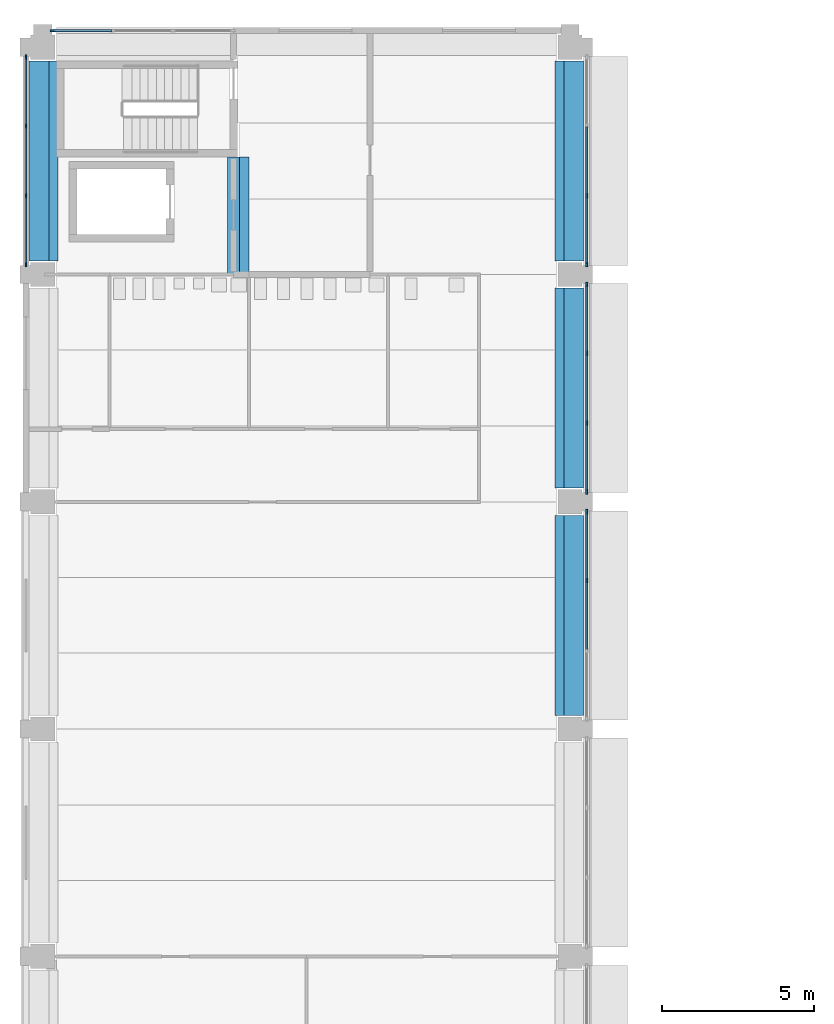
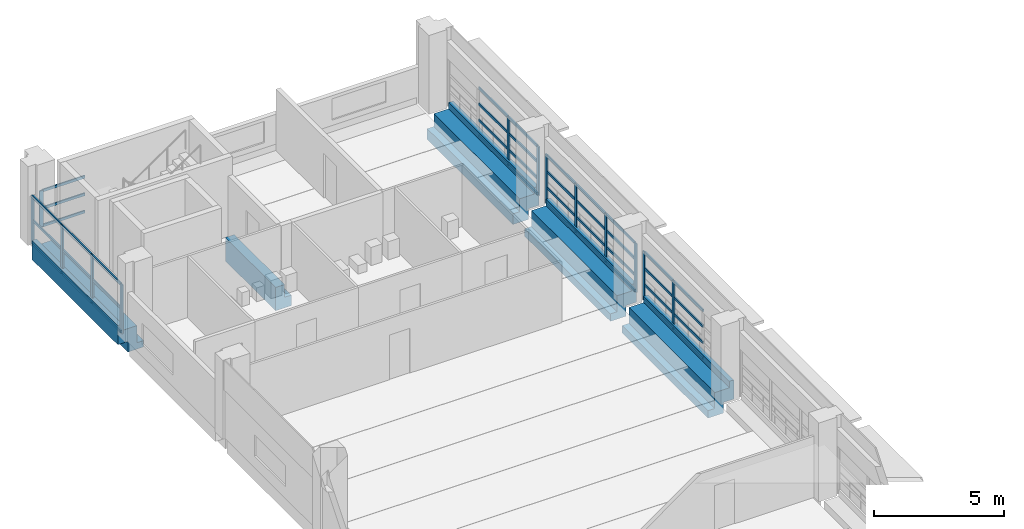
# One storey, part 12 of 61: 53 members, 5 beams, 5 elements without a shape of their own.
"""IFC4 building model written with IfcOpenShell, lengths in metres."""

from ifc_helpers import new_model, si_unit, direction, frame, origin, origin_2d, place, context, subcontext, project, spatial, polyline, rectangle, outline, extrude, material, layer, layer_set, material_profile, profile_set, type_object, element, aggregate, save


model = new_model("IFC4")

# Units and contexts
model_context = context("Model", 3, precision=1e-05, world=origin(), true_north=direction((0.0, 1.0)))
body_context = subcontext(model_context, "Body", "Model", "MODEL_VIEW")
ifc_project = project(units=[si_unit("LENGTHUNIT", "METRE"), si_unit("AREAUNIT", "SQUARE_METRE"), si_unit("VOLUMEUNIT", "CUBIC_METRE"), si_unit("PLANEANGLEUNIT", "RADIAN"), si_unit("MASSUNIT", "GRAM", prefix="KILO")], contexts=[model_context])

# Site, building, storey
site_placement = place(None, origin())
site = spatial("IfcSite", under=ifc_project, at=site_placement, CompositionType="ELEMENT")
building_placement = place(site_placement, origin())
building = spatial("IfcBuilding", under=site, at=building_placement, Name="Cour d'Honneur Mobility Palace", CompositionType="ELEMENT")
storey_placement = place(building_placement, frame((0.0, 0.0, 11.89990234375)))
storey = spatial("IfcBuildingStorey", under=building, at=storey_placement, Name="L03", CompositionType="ELEMENT", Elevation=11.89990234375)

# Curtain wall, members
ifc_material_1 = material(Name="Aluminium and glass", Category="aluminium")
ifc_layer = layer(ifc_material_1, 0.10009765625)
ifc_layer_set = layer_set([ifc_layer], Name="Aluminium and glass")
curtain_wall_type = type_object("IfcCurtainWallType", Name="Curtain wall run", PredefinedType="NOTDEFINED", material=ifc_layer_set)
curtain_wall_1_placement = place(storey_placement, origin())
curtain_wall_1 = element("IfcCurtainWall", 1, at=curtain_wall_1_placement, inside=storey, type_object=curtain_wall_type, Name="Curtain wall CW-34", PredefinedType="NOTDEFINED")
ifc_material_2 = material(Name="Aluminium", Category="aluminium")
ifc_material_profile_1 = material_profile(ifc_material_2, rectangle(XDim=0.06005859375, YDim=0.159912109375, at=origin_2d()), Name="Curtain wall mullion")
ifc_profile_set_1 = profile_set([ifc_material_profile_1], Name="Aluminium")
member_type_1 = type_object("IfcMemberType", Name="Curtain wall mullion", PredefinedType="MULLION", material=ifc_profile_set_1)
member_1_placement = place(storey_placement, frame((17.949951171875, 97.300048828125, 0.0), z_axis=(0.0, 0.0, 1.0), x_axis=(-1.0, 0.0, 0.0)))
member_1 = element("IfcMember", 2, at=member_1_placement, type_object=member_type_1, Name="CW-34 mullion 3", PredefinedType="MULLION", context=body_context, shape_type="SweptSolid", body=[
    extrude(rectangle(XDim=0.06005859375, YDim=0.159912109375, at=origin_2d()), origin(), (0.0, 0.0, 1.0), 2.300048828125),
])
member_2_placement = place(storey_placement, frame((17.949951171875, 99.570068359375, 0.0), z_axis=(0.0, 0.0, 1.0), x_axis=(-1.0, 0.0, 0.0)))
member_2 = element("IfcMember", 3, at=member_2_placement, type_object=member_type_1, Name="CW-34 mullion 4", PredefinedType="MULLION", context=body_context, shape_type="SweptSolid", body=[
    extrude(rectangle(XDim=0.06005859375, YDim=0.159912109375, at=origin_2d()), origin(), (0.0, 0.0, 1.0), 2.300048828125),
])

curtain_wall_2_placement = place(storey_placement, origin())
curtain_wall_2 = element("IfcCurtainWall", 4, at=curtain_wall_2_placement, inside=storey, type_object=curtain_wall_type, Name="Curtain wall CW-35", PredefinedType="NOTDEFINED")
member_3_placement = place(storey_placement, frame((17.949951171875, 100.22998046875, 0.0), z_axis=(0.0, 0.0, 1.0), x_axis=(-1.0, 0.0, 0.0)))
member_3 = element("IfcMember", 5, at=member_3_placement, type_object=member_type_1, Name="CW-35 mullion 1", PredefinedType="MULLION", context=body_context, shape_type="SweptSolid", body=[
    extrude(rectangle(XDim=0.06005859375, YDim=0.159912109375, at=origin_2d()), origin(), (0.0, 0.0, 1.0), 2.300048828125),
])
member_4_placement = place(storey_placement, frame((17.949951171875, 102.5, 0.0), z_axis=(0.0, 0.0, 1.0), x_axis=(-1.0, 0.0, 0.0)))
member_4 = element("IfcMember", 6, at=member_4_placement, type_object=member_type_1, Name="CW-35 mullion 2", PredefinedType="MULLION", context=body_context, shape_type="SweptSolid", body=[
    extrude(rectangle(XDim=0.06005859375, YDim=0.159912109375, at=origin_2d()), origin(), (0.0, 0.0, 1.0), 2.300048828125),
])
member_5_placement = place(storey_placement, frame((17.949951171875, 104.800048828125, 0.0), z_axis=(0.0, 0.0, 1.0), x_axis=(-1.0, 0.0, 0.0)))
member_5 = element("IfcMember", 7, at=member_5_placement, type_object=member_type_1, Name="CW-35 mullion 3", PredefinedType="MULLION", context=body_context, shape_type="SweptSolid", body=[
    extrude(rectangle(XDim=0.06005859375, YDim=0.159912109375, at=origin_2d()), origin(), (0.0, 0.0, 1.0), 2.300048828125),
])
member_6_placement = place(storey_placement, frame((17.949951171875, 107.070068359375, 0.0), z_axis=(0.0, 0.0, 1.0), x_axis=(-1.0, 0.0, 0.0)))
member_6 = element("IfcMember", 8, at=member_6_placement, type_object=member_type_1, Name="CW-35 mullion 4", PredefinedType="MULLION", context=body_context, shape_type="SweptSolid", body=[
    extrude(rectangle(XDim=0.06005859375, YDim=0.159912109375, at=origin_2d()), origin(), (0.0, 0.0, 1.0), 2.300048828125),
])

curtain_wall_3_placement = place(storey_placement, origin())
curtain_wall_3 = element("IfcCurtainWall", 9, at=curtain_wall_3_placement, inside=storey, type_object=curtain_wall_type, Name="Curtain wall CW-36", PredefinedType="NOTDEFINED")
member_7_placement = place(storey_placement, frame((17.949951171875, 107.72998046875, 0.0), z_axis=(0.0, 0.0, 1.0), x_axis=(-1.0, 0.0, 0.0)))
member_7 = element("IfcMember", 10, at=member_7_placement, type_object=member_type_1, Name="CW-36 mullion 1", PredefinedType="MULLION", context=body_context, shape_type="SweptSolid", body=[
    extrude(rectangle(XDim=0.06005859375, YDim=0.159912109375, at=origin_2d()), origin(), (0.0, 0.0, 1.0), 2.300048828125),
])
member_8_placement = place(storey_placement, frame((17.949951171875, 110.0, 0.0), z_axis=(0.0, 0.0, 1.0), x_axis=(-1.0, 0.0, 0.0)))
member_8 = element("IfcMember", 11, at=member_8_placement, type_object=member_type_1, Name="CW-36 mullion 2", PredefinedType="MULLION", context=body_context, shape_type="SweptSolid", body=[
    extrude(rectangle(XDim=0.06005859375, YDim=0.159912109375, at=origin_2d()), origin(), (0.0, 0.0, 1.0), 2.300048828125),
])

# Curtain wall, member
curtain_wall_4_placement = place(storey_placement, origin())
curtain_wall_4 = element("IfcCurtainWall", 12, at=curtain_wall_4_placement, inside=storey, type_object=curtain_wall_type, Name="Curtain wall CW-128", PredefinedType="NOTDEFINED")
member_9_placement = place(storey_placement, frame((0.330078125, 115.449951171875, 0.0), z_axis=(0.0, 0.0, 1.0), x_axis=(0.0, -1.0, 0.0)))
member_9 = element("IfcMember", 13, at=member_9_placement, type_object=member_type_1, Name="CW-128 mullion 4", PredefinedType="MULLION", context=body_context, shape_type="SweptSolid", body=[
    extrude(rectangle(XDim=0.06005859375, YDim=0.159912109375, at=origin_2d()), origin(), (0.0, 0.0, 1.0), 1.7001953125),
])

# Curtain wall, members
curtain_wall_5_placement = place(storey_placement, origin())
curtain_wall_5 = element("IfcCurtainWall", 14, at=curtain_wall_5_placement, inside=storey, type_object=curtain_wall_type, Name="Curtain wall CW-129", PredefinedType="NOTDEFINED")
member_10_placement = place(storey_placement, frame((-0.550048828125, 114.570068359375, 0.0), z_axis=(0.0, 0.0, 1.0), x_axis=(1.0, 0.0, 0.0)))
member_10 = element("IfcMember", 15, at=member_10_placement, type_object=member_type_1, Name="CW-129 mullion 1", PredefinedType="MULLION", context=body_context, shape_type="SweptSolid", body=[
    extrude(rectangle(XDim=0.06005859375, YDim=0.159912109375, at=origin_2d()), origin(), (0.0, 0.0, 1.0), 2.300048828125),
])
member_11_placement = place(storey_placement, frame((-0.550048828125, 112.300048828125, 0.0), z_axis=(0.0, 0.0, 1.0), x_axis=(1.0, 0.0, 0.0)))
member_11 = element("IfcMember", 16, at=member_11_placement, type_object=member_type_1, Name="CW-129 mullion 2", PredefinedType="MULLION", context=body_context, shape_type="SweptSolid", body=[
    extrude(rectangle(XDim=0.06005859375, YDim=0.159912109375, at=origin_2d()), origin(), (0.0, 0.0, 1.0), 2.300048828125),
])
member_12_placement = place(storey_placement, frame((-0.550048828125, 110.0, 0.0), z_axis=(0.0, 0.0, 1.0), x_axis=(1.0, 0.0, 0.0)))
member_12 = element("IfcMember", 17, at=member_12_placement, type_object=member_type_1, Name="CW-129 mullion 3", PredefinedType="MULLION", context=body_context, shape_type="SweptSolid", body=[
    extrude(rectangle(XDim=0.06005859375, YDim=0.159912109375, at=origin_2d()), origin(), (0.0, 0.0, 1.0), 2.300048828125),
])
member_13_placement = place(storey_placement, frame((-0.550048828125, 107.72998046875, 0.0), z_axis=(0.0, 0.0, 1.0), x_axis=(1.0, 0.0, 0.0)))
member_13 = element("IfcMember", 18, at=member_13_placement, type_object=member_type_1, Name="CW-129 mullion 4", PredefinedType="MULLION", context=body_context, shape_type="SweptSolid", body=[
    extrude(rectangle(XDim=0.06005859375, YDim=0.159912109375, at=origin_2d()), origin(), (0.0, 0.0, 1.0), 2.300048828125),
])

# Member
ifc_material_3 = material(Name="Aluminium", Category="aluminium")
ifc_material_profile_2 = material_profile(ifc_material_3, rectangle(XDim=0.06005859375, YDim=0.1201171875, at=origin_2d()), Name="Curtain wall transom")
ifc_profile_set_2 = profile_set([ifc_material_profile_2], Name="Aluminium")
member_type_2 = type_object("IfcMemberType", Name="Curtain wall transom", PredefinedType="USERDEFINED", material=ifc_profile_set_2)
member_14_placement = place(storey_placement, frame((17.949951171875, 95.030029296875, 0.030029296875), z_axis=(0.0, 1.0, 0.0), x_axis=(-1.0, 0.0, 0.0)))
member_14 = element("IfcMember", 19, at=member_14_placement, type_object=member_type_2, Name="CW-34 transom 2.1", ObjectType="TRANSOM", PredefinedType="USERDEFINED", context=body_context, shape_type="SweptSolid", body=[
    extrude(rectangle(XDim=0.06005859375, YDim=0.1201171875, at=origin_2d()), origin(), (0.0, 0.0, 1.0), 2.239990234375),
])

member_15_placement = place(storey_placement, frame((17.949951171875, 95.030029296875, 0.766845703125), z_axis=(0.0, 1.0, 0.0), x_axis=(-1.0, 0.0, 0.0)))
member_15 = element("IfcMember", 20, at=member_15_placement, type_object=member_type_2, Name="CW-34 transom 2.2", ObjectType="TRANSOM", PredefinedType="USERDEFINED", context=body_context, shape_type="SweptSolid", body=[
    extrude(rectangle(XDim=0.06005859375, YDim=0.1201171875, at=origin_2d()), origin(), (0.0, 0.0, 1.0), 2.239990234375),
])

member_16_placement = place(storey_placement, frame((17.949951171875, 95.030029296875, 1.533447265625), z_axis=(0.0, 1.0, 0.0), x_axis=(-1.0, 0.0, 0.0)))
member_16 = element("IfcMember", 21, at=member_16_placement, type_object=member_type_2, Name="CW-34 transom 2.3", ObjectType="TRANSOM", PredefinedType="USERDEFINED", context=body_context, shape_type="SweptSolid", body=[
    extrude(rectangle(XDim=0.06005859375, YDim=0.1201171875, at=origin_2d()), origin(), (0.0, 0.0, 1.0), 2.239990234375),
])

member_17_placement = place(storey_placement, frame((17.949951171875, 95.030029296875, 2.27001953125), z_axis=(0.0, 1.0, 0.0), x_axis=(-1.0, 0.0, 0.0)))
member_17 = element("IfcMember", 22, at=member_17_placement, type_object=member_type_2, Name="CW-34 transom 2.4", ObjectType="TRANSOM", PredefinedType="USERDEFINED", context=body_context, shape_type="SweptSolid", body=[
    extrude(rectangle(XDim=0.06005859375, YDim=0.1201171875, at=origin_2d()), origin(), (0.0, 0.0, 1.0), 2.239990234375),
])

member_18_placement = place(storey_placement, frame((17.949951171875, 97.330078125, 0.030029296875), z_axis=(0.0, 1.0, 0.0), x_axis=(-1.0, 0.0, 0.0)))
member_18 = element("IfcMember", 23, at=member_18_placement, type_object=member_type_2, Name="CW-34 transom 3.1", ObjectType="TRANSOM", PredefinedType="USERDEFINED", context=body_context, shape_type="SweptSolid", body=[
    extrude(rectangle(XDim=0.06005859375, YDim=0.1201171875, at=origin_2d()), origin(), (0.0, 0.0, 1.0), 2.2099609375),
])

member_19_placement = place(storey_placement, frame((17.949951171875, 97.330078125, 0.766845703125), z_axis=(0.0, 1.0, 0.0), x_axis=(-1.0, 0.0, 0.0)))
member_19 = element("IfcMember", 24, at=member_19_placement, type_object=member_type_2, Name="CW-34 transom 3.2", ObjectType="TRANSOM", PredefinedType="USERDEFINED", context=body_context, shape_type="SweptSolid", body=[
    extrude(rectangle(XDim=0.06005859375, YDim=0.1201171875, at=origin_2d()), origin(), (0.0, 0.0, 1.0), 2.2099609375),
])

member_20_placement = place(storey_placement, frame((17.949951171875, 97.330078125, 1.533447265625), z_axis=(0.0, 1.0, 0.0), x_axis=(-1.0, 0.0, 0.0)))
member_20 = element("IfcMember", 25, at=member_20_placement, type_object=member_type_2, Name="CW-34 transom 3.3", ObjectType="TRANSOM", PredefinedType="USERDEFINED", context=body_context, shape_type="SweptSolid", body=[
    extrude(rectangle(XDim=0.06005859375, YDim=0.1201171875, at=origin_2d()), origin(), (0.0, 0.0, 1.0), 2.2099609375),
])

member_21_placement = place(storey_placement, frame((17.949951171875, 97.330078125, 2.27001953125), z_axis=(0.0, 1.0, 0.0), x_axis=(-1.0, 0.0, 0.0)))
member_21 = element("IfcMember", 26, at=member_21_placement, type_object=member_type_2, Name="CW-34 transom 3.4", ObjectType="TRANSOM", PredefinedType="USERDEFINED", context=body_context, shape_type="SweptSolid", body=[
    extrude(rectangle(XDim=0.06005859375, YDim=0.1201171875, at=origin_2d()), origin(), (0.0, 0.0, 1.0), 2.2099609375),
])

aggregate(curtain_wall_1, [member_1, member_2, member_14, member_15, member_16, member_17, member_18, member_19, member_20, member_21])

member_22_placement = place(storey_placement, frame((17.949951171875, 100.260009765625, 0.030029296875), z_axis=(0.0, 1.0, 0.0), x_axis=(-1.0, 0.0, 0.0)))
member_22 = element("IfcMember", 27, at=member_22_placement, type_object=member_type_2, Name="CW-35 transom 1.1", ObjectType="TRANSOM", PredefinedType="USERDEFINED", context=body_context, shape_type="SweptSolid", body=[
    extrude(rectangle(XDim=0.06005859375, YDim=0.1201171875, at=origin_2d()), origin(), (0.0, 0.0, 1.0), 2.2099609375),
])

member_23_placement = place(storey_placement, frame((17.949951171875, 100.260009765625, 0.766845703125), z_axis=(0.0, 1.0, 0.0), x_axis=(-1.0, 0.0, 0.0)))
member_23 = element("IfcMember", 28, at=member_23_placement, type_object=member_type_2, Name="CW-35 transom 1.2", ObjectType="TRANSOM", PredefinedType="USERDEFINED", context=body_context, shape_type="SweptSolid", body=[
    extrude(rectangle(XDim=0.06005859375, YDim=0.1201171875, at=origin_2d()), origin(), (0.0, 0.0, 1.0), 2.2099609375),
])

member_24_placement = place(storey_placement, frame((17.949951171875, 100.260009765625, 1.533447265625), z_axis=(0.0, 1.0, 0.0), x_axis=(-1.0, 0.0, 0.0)))
member_24 = element("IfcMember", 29, at=member_24_placement, type_object=member_type_2, Name="CW-35 transom 1.3", ObjectType="TRANSOM", PredefinedType="USERDEFINED", context=body_context, shape_type="SweptSolid", body=[
    extrude(rectangle(XDim=0.06005859375, YDim=0.1201171875, at=origin_2d()), origin(), (0.0, 0.0, 1.0), 2.2099609375),
])

member_25_placement = place(storey_placement, frame((17.949951171875, 100.260009765625, 2.27001953125), z_axis=(0.0, 1.0, 0.0), x_axis=(-1.0, 0.0, 0.0)))
member_25 = element("IfcMember", 30, at=member_25_placement, type_object=member_type_2, Name="CW-35 transom 1.4", ObjectType="TRANSOM", PredefinedType="USERDEFINED", context=body_context, shape_type="SweptSolid", body=[
    extrude(rectangle(XDim=0.06005859375, YDim=0.1201171875, at=origin_2d()), origin(), (0.0, 0.0, 1.0), 2.2099609375),
])

member_26_placement = place(storey_placement, frame((17.949951171875, 102.530029296875, 0.030029296875), z_axis=(0.0, 1.0, 0.0), x_axis=(-1.0, 0.0, 0.0)))
member_26 = element("IfcMember", 31, at=member_26_placement, type_object=member_type_2, Name="CW-35 transom 2.1", ObjectType="TRANSOM", PredefinedType="USERDEFINED", context=body_context, shape_type="SweptSolid", body=[
    extrude(rectangle(XDim=0.06005859375, YDim=0.1201171875, at=origin_2d()), origin(), (0.0, 0.0, 1.0), 2.239990234375),
])

member_27_placement = place(storey_placement, frame((17.949951171875, 102.530029296875, 0.766845703125), z_axis=(0.0, 1.0, 0.0), x_axis=(-1.0, 0.0, 0.0)))
member_27 = element("IfcMember", 32, at=member_27_placement, type_object=member_type_2, Name="CW-35 transom 2.2", ObjectType="TRANSOM", PredefinedType="USERDEFINED", context=body_context, shape_type="SweptSolid", body=[
    extrude(rectangle(XDim=0.06005859375, YDim=0.1201171875, at=origin_2d()), origin(), (0.0, 0.0, 1.0), 2.239990234375),
])

member_28_placement = place(storey_placement, frame((17.949951171875, 102.530029296875, 1.533447265625), z_axis=(0.0, 1.0, 0.0), x_axis=(-1.0, 0.0, 0.0)))
member_28 = element("IfcMember", 33, at=member_28_placement, type_object=member_type_2, Name="CW-35 transom 2.3", ObjectType="TRANSOM", PredefinedType="USERDEFINED", context=body_context, shape_type="SweptSolid", body=[
    extrude(rectangle(XDim=0.06005859375, YDim=0.1201171875, at=origin_2d()), origin(), (0.0, 0.0, 1.0), 2.239990234375),
])

member_29_placement = place(storey_placement, frame((17.949951171875, 102.530029296875, 2.27001953125), z_axis=(0.0, 1.0, 0.0), x_axis=(-1.0, 0.0, 0.0)))
member_29 = element("IfcMember", 34, at=member_29_placement, type_object=member_type_2, Name="CW-35 transom 2.4", ObjectType="TRANSOM", PredefinedType="USERDEFINED", context=body_context, shape_type="SweptSolid", body=[
    extrude(rectangle(XDim=0.06005859375, YDim=0.1201171875, at=origin_2d()), origin(), (0.0, 0.0, 1.0), 2.239990234375),
])

member_30_placement = place(storey_placement, frame((17.949951171875, 104.830078125, 0.030029296875), z_axis=(0.0, 1.0, 0.0), x_axis=(-1.0, 0.0, 0.0)))
member_30 = element("IfcMember", 35, at=member_30_placement, type_object=member_type_2, Name="CW-35 transom 3.1", ObjectType="TRANSOM", PredefinedType="USERDEFINED", context=body_context, shape_type="SweptSolid", body=[
    extrude(rectangle(XDim=0.06005859375, YDim=0.1201171875, at=origin_2d()), origin(), (0.0, 0.0, 1.0), 2.2099609375),
])

member_31_placement = place(storey_placement, frame((17.949951171875, 104.830078125, 0.766845703125), z_axis=(0.0, 1.0, 0.0), x_axis=(-1.0, 0.0, 0.0)))
member_31 = element("IfcMember", 36, at=member_31_placement, type_object=member_type_2, Name="CW-35 transom 3.2", ObjectType="TRANSOM", PredefinedType="USERDEFINED", context=body_context, shape_type="SweptSolid", body=[
    extrude(rectangle(XDim=0.06005859375, YDim=0.1201171875, at=origin_2d()), origin(), (0.0, 0.0, 1.0), 2.2099609375),
])

member_32_placement = place(storey_placement, frame((17.949951171875, 104.830078125, 1.533447265625), z_axis=(0.0, 1.0, 0.0), x_axis=(-1.0, 0.0, 0.0)))
member_32 = element("IfcMember", 37, at=member_32_placement, type_object=member_type_2, Name="CW-35 transom 3.3", ObjectType="TRANSOM", PredefinedType="USERDEFINED", context=body_context, shape_type="SweptSolid", body=[
    extrude(rectangle(XDim=0.06005859375, YDim=0.1201171875, at=origin_2d()), origin(), (0.0, 0.0, 1.0), 2.2099609375),
])

member_33_placement = place(storey_placement, frame((17.949951171875, 104.830078125, 2.27001953125), z_axis=(0.0, 1.0, 0.0), x_axis=(-1.0, 0.0, 0.0)))
member_33 = element("IfcMember", 38, at=member_33_placement, type_object=member_type_2, Name="CW-35 transom 3.4", ObjectType="TRANSOM", PredefinedType="USERDEFINED", context=body_context, shape_type="SweptSolid", body=[
    extrude(rectangle(XDim=0.06005859375, YDim=0.1201171875, at=origin_2d()), origin(), (0.0, 0.0, 1.0), 2.2099609375),
])

aggregate(curtain_wall_2, [member_3, member_4, member_5, member_6, member_22, member_23, member_24, member_25, member_26, member_27, member_28, member_29, member_30, member_31, member_32, member_33])

member_34_placement = place(storey_placement, frame((17.949951171875, 107.760009765625, 0.030029296875), z_axis=(0.0, 1.0, 0.0), x_axis=(-1.0, 0.0, 0.0)))
member_34 = element("IfcMember", 39, at=member_34_placement, type_object=member_type_2, Name="CW-36 transom 1.1", ObjectType="TRANSOM", PredefinedType="USERDEFINED", context=body_context, shape_type="SweptSolid", body=[
    extrude(rectangle(XDim=0.06005859375, YDim=0.1201171875, at=origin_2d()), origin(), (0.0, 0.0, 1.0), 2.2099609375),
])

member_35_placement = place(storey_placement, frame((17.949951171875, 107.760009765625, 0.766845703125), z_axis=(0.0, 1.0, 0.0), x_axis=(-1.0, 0.0, 0.0)))
member_35 = element("IfcMember", 40, at=member_35_placement, type_object=member_type_2, Name="CW-36 transom 1.2", ObjectType="TRANSOM", PredefinedType="USERDEFINED", context=body_context, shape_type="SweptSolid", body=[
    extrude(rectangle(XDim=0.06005859375, YDim=0.1201171875, at=origin_2d()), origin(), (0.0, 0.0, 1.0), 2.2099609375),
])

member_36_placement = place(storey_placement, frame((17.949951171875, 107.760009765625, 1.533447265625), z_axis=(0.0, 1.0, 0.0), x_axis=(-1.0, 0.0, 0.0)))
member_36 = element("IfcMember", 41, at=member_36_placement, type_object=member_type_2, Name="CW-36 transom 1.3", ObjectType="TRANSOM", PredefinedType="USERDEFINED", context=body_context, shape_type="SweptSolid", body=[
    extrude(rectangle(XDim=0.06005859375, YDim=0.1201171875, at=origin_2d()), origin(), (0.0, 0.0, 1.0), 2.2099609375),
])

member_37_placement = place(storey_placement, frame((17.949951171875, 107.760009765625, 2.27001953125), z_axis=(0.0, 1.0, 0.0), x_axis=(-1.0, 0.0, 0.0)))
member_37 = element("IfcMember", 42, at=member_37_placement, type_object=member_type_2, Name="CW-36 transom 1.4", ObjectType="TRANSOM", PredefinedType="USERDEFINED", context=body_context, shape_type="SweptSolid", body=[
    extrude(rectangle(XDim=0.06005859375, YDim=0.1201171875, at=origin_2d()), origin(), (0.0, 0.0, 1.0), 2.2099609375),
])

member_38_placement = place(storey_placement, frame((17.949951171875, 110.030029296875, 0.030029296875), z_axis=(0.0, 1.0, 0.0), x_axis=(-1.0, 0.0, 0.0)))
member_38 = element("IfcMember", 43, at=member_38_placement, type_object=member_type_2, Name="CW-36 transom 2.1", ObjectType="TRANSOM", PredefinedType="USERDEFINED", context=body_context, shape_type="SweptSolid", body=[
    extrude(rectangle(XDim=0.06005859375, YDim=0.1201171875, at=origin_2d()), origin(), (0.0, 0.0, 1.0), 2.239990234375),
])

member_39_placement = place(storey_placement, frame((17.949951171875, 110.030029296875, 0.766845703125), z_axis=(0.0, 1.0, 0.0), x_axis=(-1.0, 0.0, 0.0)))
member_39 = element("IfcMember", 44, at=member_39_placement, type_object=member_type_2, Name="CW-36 transom 2.2", ObjectType="TRANSOM", PredefinedType="USERDEFINED", context=body_context, shape_type="SweptSolid", body=[
    extrude(rectangle(XDim=0.06005859375, YDim=0.1201171875, at=origin_2d()), origin(), (0.0, 0.0, 1.0), 2.239990234375),
])

member_40_placement = place(storey_placement, frame((17.949951171875, 110.030029296875, 1.533447265625), z_axis=(0.0, 1.0, 0.0), x_axis=(-1.0, 0.0, 0.0)))
member_40 = element("IfcMember", 45, at=member_40_placement, type_object=member_type_2, Name="CW-36 transom 2.3", ObjectType="TRANSOM", PredefinedType="USERDEFINED", context=body_context, shape_type="SweptSolid", body=[
    extrude(rectangle(XDim=0.06005859375, YDim=0.1201171875, at=origin_2d()), origin(), (0.0, 0.0, 1.0), 2.239990234375),
])

member_41_placement = place(storey_placement, frame((17.949951171875, 110.030029296875, 2.27001953125), z_axis=(0.0, 1.0, 0.0), x_axis=(-1.0, 0.0, 0.0)))
member_41 = element("IfcMember", 46, at=member_41_placement, type_object=member_type_2, Name="CW-36 transom 2.4", ObjectType="TRANSOM", PredefinedType="USERDEFINED", context=body_context, shape_type="SweptSolid", body=[
    extrude(rectangle(XDim=0.06005859375, YDim=0.1201171875, at=origin_2d()), origin(), (0.0, 0.0, 1.0), 2.239990234375),
])

aggregate(curtain_wall_3, [member_7, member_8, member_34, member_35, member_36, member_37, member_38, member_39, member_40, member_41])

member_42_placement = place(storey_placement, frame((2.27001953125, 115.449951171875, 0.030029296875), z_axis=(-1.0, 0.0, 0.0), x_axis=(0.0, -1.0, 0.0)))
member_42 = element("IfcMember", 47, at=member_42_placement, type_object=member_type_2, Name="CW-128 transom 3.1", ObjectType="TRANSOM", PredefinedType="USERDEFINED", context=body_context, shape_type="SweptSolid", body=[
    extrude(rectangle(XDim=0.06005859375, YDim=0.1201171875, at=origin_2d()), origin(), (0.0, 0.0, 1.0), 1.909912109375),
])

member_43_placement = place(storey_placement, frame((2.27001953125, 115.449951171875, 0.85009765625), z_axis=(-1.0, 0.0, 0.0), x_axis=(0.0, -1.0, 0.0)))
member_43 = element("IfcMember", 48, at=member_43_placement, type_object=member_type_2, Name="CW-128 transom 3.2", ObjectType="TRANSOM", PredefinedType="USERDEFINED", context=body_context, shape_type="SweptSolid", body=[
    extrude(rectangle(XDim=0.06005859375, YDim=0.1201171875, at=origin_2d()), origin(), (0.0, 0.0, 1.0), 1.909912109375),
])

member_44_placement = place(storey_placement, frame((2.27001953125, 115.449951171875, 1.670166015625), z_axis=(-1.0, 0.0, 0.0), x_axis=(0.0, -1.0, 0.0)))
member_44 = element("IfcMember", 49, at=member_44_placement, type_object=member_type_2, Name="CW-128 transom 3.3", ObjectType="TRANSOM", PredefinedType="USERDEFINED", context=body_context, shape_type="SweptSolid", body=[
    extrude(rectangle(XDim=0.06005859375, YDim=0.1201171875, at=origin_2d()), origin(), (0.0, 0.0, 1.0), 1.909912109375),
])

aggregate(curtain_wall_4, [member_9, member_42, member_43, member_44])

member_45_placement = place(storey_placement, frame((-0.550048828125, 114.5400390625, 0.030029296875), z_axis=(0.0, -1.0, 0.0), x_axis=(1.0, 0.0, 0.0)))
member_45 = element("IfcMember", 50, at=member_45_placement, type_object=member_type_2, Name="CW-129 transom 1.1", ObjectType="TRANSOM", PredefinedType="USERDEFINED", context=body_context, shape_type="SweptSolid", body=[
    extrude(rectangle(XDim=0.06005859375, YDim=0.1201171875, at=origin_2d()), origin(), (0.0, 0.0, 1.0), 2.2099609375),
])

member_46_placement = place(storey_placement, frame((-0.550048828125, 114.5400390625, 1.150146484375), z_axis=(0.0, -1.0, 0.0), x_axis=(1.0, 0.0, 0.0)))
member_46 = element("IfcMember", 51, at=member_46_placement, type_object=member_type_2, Name="CW-129 transom 1.2", ObjectType="TRANSOM", PredefinedType="USERDEFINED", context=body_context, shape_type="SweptSolid", body=[
    extrude(rectangle(XDim=0.06005859375, YDim=0.1201171875, at=origin_2d()), origin(), (0.0, 0.0, 1.0), 2.2099609375),
])

member_47_placement = place(storey_placement, frame((-0.550048828125, 114.5400390625, 2.27001953125), z_axis=(0.0, -1.0, 0.0), x_axis=(1.0, 0.0, 0.0)))
member_47 = element("IfcMember", 52, at=member_47_placement, type_object=member_type_2, Name="CW-129 transom 1.3", ObjectType="TRANSOM", PredefinedType="USERDEFINED", context=body_context, shape_type="SweptSolid", body=[
    extrude(rectangle(XDim=0.06005859375, YDim=0.1201171875, at=origin_2d()), origin(), (0.0, 0.0, 1.0), 2.2099609375),
])

member_48_placement = place(storey_placement, frame((-0.550048828125, 112.27001953125, 0.030029296875), z_axis=(0.0, -1.0, 0.0), x_axis=(1.0, 0.0, 0.0)))
member_48 = element("IfcMember", 53, at=member_48_placement, type_object=member_type_2, Name="CW-129 transom 2.1", ObjectType="TRANSOM", PredefinedType="USERDEFINED", context=body_context, shape_type="SweptSolid", body=[
    extrude(rectangle(XDim=0.06005859375, YDim=0.1201171875, at=origin_2d()), origin(), (0.0, 0.0, 1.0), 2.239990234375),
])

member_49_placement = place(storey_placement, frame((-0.550048828125, 112.27001953125, 1.150146484375), z_axis=(0.0, -1.0, 0.0), x_axis=(1.0, 0.0, 0.0)))
member_49 = element("IfcMember", 54, at=member_49_placement, type_object=member_type_2, Name="CW-129 transom 2.2", ObjectType="TRANSOM", PredefinedType="USERDEFINED", context=body_context, shape_type="SweptSolid", body=[
    extrude(rectangle(XDim=0.06005859375, YDim=0.1201171875, at=origin_2d()), origin(), (0.0, 0.0, 1.0), 2.239990234375),
])

member_50_placement = place(storey_placement, frame((-0.550048828125, 112.27001953125, 2.27001953125), z_axis=(0.0, -1.0, 0.0), x_axis=(1.0, 0.0, 0.0)))
member_50 = element("IfcMember", 55, at=member_50_placement, type_object=member_type_2, Name="CW-129 transom 2.3", ObjectType="TRANSOM", PredefinedType="USERDEFINED", context=body_context, shape_type="SweptSolid", body=[
    extrude(rectangle(XDim=0.06005859375, YDim=0.1201171875, at=origin_2d()), origin(), (0.0, 0.0, 1.0), 2.239990234375),
])

member_51_placement = place(storey_placement, frame((-0.550048828125, 109.969970703125, 0.030029296875), z_axis=(0.0, -1.0, 0.0), x_axis=(1.0, 0.0, 0.0)))
member_51 = element("IfcMember", 56, at=member_51_placement, type_object=member_type_2, Name="CW-129 transom 3.1", ObjectType="TRANSOM", PredefinedType="USERDEFINED", context=body_context, shape_type="SweptSolid", body=[
    extrude(rectangle(XDim=0.06005859375, YDim=0.1201171875, at=origin_2d()), origin(), (0.0, 0.0, 1.0), 2.2099609375),
])

member_52_placement = place(storey_placement, frame((-0.550048828125, 109.969970703125, 1.150146484375), z_axis=(0.0, -1.0, 0.0), x_axis=(1.0, 0.0, 0.0)))
member_52 = element("IfcMember", 57, at=member_52_placement, type_object=member_type_2, Name="CW-129 transom 3.2", ObjectType="TRANSOM", PredefinedType="USERDEFINED", context=body_context, shape_type="SweptSolid", body=[
    extrude(rectangle(XDim=0.06005859375, YDim=0.1201171875, at=origin_2d()), origin(), (0.0, 0.0, 1.0), 2.2099609375),
])

member_53_placement = place(storey_placement, frame((-0.550048828125, 109.969970703125, 2.27001953125), z_axis=(0.0, -1.0, 0.0), x_axis=(1.0, 0.0, 0.0)))
member_53 = element("IfcMember", 58, at=member_53_placement, type_object=member_type_2, Name="CW-129 transom 3.3", ObjectType="TRANSOM", PredefinedType="USERDEFINED", context=body_context, shape_type="SweptSolid", body=[
    extrude(rectangle(XDim=0.06005859375, YDim=0.1201171875, at=origin_2d()), origin(), (0.0, 0.0, 1.0), 2.2099609375),
])

aggregate(curtain_wall_5, [member_10, member_11, member_12, member_13, member_45, member_46, member_47, member_48, member_49, member_50, member_51, member_52, member_53])

# Beams
ifc_material_4 = material(Name="Concrete C45", Category="concrete")
ifc_material_profile_3 = material_profile(ifc_material_4, outline(polyline([(0.5, -1.10009765625), (0.5, -0.75), (0.199951171875, -0.75), (0.199951171875, 0.0), (-0.199951171875, 0.0), (-0.449951171875, 0.0), (-0.449951171875, 0.300048828125), (-0.64990234375, 0.300048828125), (-0.64990234375, -0.60009765625), (-0.199951171875, -0.60009765625), (-0.199951171875, -1.10009765625), (0.5, -1.10009765625)])), Name="Ledger Beam 400x1100 ledge left 350 facade right")
ifc_profile_set_3 = profile_set([ifc_material_profile_3], Name="Concrete C45")
beam_type_1 = type_object("IfcBeamType", Name="Ledger Beam 400x1100 ledge left 350 facade right", PredefinedType="BEAM", material=ifc_profile_set_3)
for number, where, z_axis, x_axis, name in (
    (59, (17.39990234375, 92.85009765625, 0.0), (0.0, 1.0, 0.0), (-1.0, 0.0, 0.0), "Precast beam B2 M-N L03"),
    (60, (17.39990234375, 100.35009765625, 0.0), (0.0, 1.0, 0.0), (-1.0, 0.0, 0.0), "Precast beam B2 N-P L03"),
):
    element("IfcBeam", number, at=place(storey_placement, frame(where, z_axis=z_axis, x_axis=x_axis)), inside=storey, type_object=beam_type_1, Name=name, PredefinedType="BEAM", context=body_context, shape_type="SweptSolid", body=[
        extrude(outline(polyline([(0.5, -1.10009765625), (0.5, -0.75), (0.199951171875, -0.75), (0.199951171875, 0.0), (-0.199951171875, 0.0), (-0.449951171875, 0.0), (-0.449951171875, 0.300048828125), (-0.64990234375, 0.300048828125), (-0.64990234375, -0.60009765625), (-0.199951171875, -0.60009765625), (-0.199951171875, -1.10009765625), (0.5, -1.10009765625)])), origin(), (0.0, 0.0, 1.0), 6.599853515625),
    ])
ifc_material_5 = material(Name="Concrete C45", Category="concrete")
ifc_material_profile_4 = material_profile(ifc_material_5, outline(polyline([(0.5, -1.10009765625), (0.5, -0.60009765625), (0.199951171875, -0.60009765625), (0.199951171875, 0.0), (-0.199951171875, 0.0), (-0.449951171875, 0.0), (-0.449951171875, 0.300048828125), (-0.64990234375, 0.300048828125), (-0.64990234375, -0.60009765625), (-0.199951171875, -0.60009765625), (-0.199951171875, -1.10009765625), (0.5, -1.10009765625)])), Name="Ledger Beam 400x1100 ledge left 500 facade right")
ifc_profile_set_4 = profile_set([ifc_material_profile_4], Name="Concrete C45")
beam_type_2 = type_object("IfcBeamType", Name="Ledger Beam 400x1100 ledge left 500 facade right", PredefinedType="BEAM", material=ifc_profile_set_4)
beam_1_placement = place(storey_placement, frame((17.39990234375, 107.85009765625, 0.0), z_axis=(0.0, 1.0, 0.0), x_axis=(-1.0, 0.0, 0.0)))
element("IfcBeam", 61, at=beam_1_placement, inside=storey, type_object=beam_type_2, Name="Precast beam B14 P-Q L03", PredefinedType="BEAM", context=body_context, shape_type="SweptSolid", body=[
    extrude(outline(polyline([(0.5, -1.10009765625), (0.5, -0.60009765625), (0.199951171875, -0.60009765625), (0.199951171875, 0.0), (-0.199951171875, 0.0), (-0.449951171875, 0.0), (-0.449951171875, 0.300048828125), (-0.64990234375, 0.300048828125), (-0.64990234375, -0.60009765625), (-0.199951171875, -0.60009765625), (-0.199951171875, -1.10009765625), (0.5, -1.10009765625)])), origin(), (0.0, 0.0, 1.0), 6.599853515625),
])
ifc_material_6 = material(Name="Concrete C45", Category="concrete")
ifc_material_profile_5 = material_profile(ifc_material_6, outline(polyline([(0.199951171875, -1.10009765625), (0.199951171875, -0.60009765625), (0.64990234375, -0.60009765625), (0.64990234375, 0.300048828125), (0.449951171875, 0.300048828125), (0.449951171875, 0.0), (0.199951171875, 0.0), (-0.199951171875, 0.0), (-0.199951171875, -0.800048828125), (-0.5, -0.800048828125), (-0.5, -1.10009765625), (0.199951171875, -1.10009765625)])), Name="Ledger Beam 400x1100 ledge right 300 facade left")
ifc_profile_set_5 = profile_set([ifc_material_profile_5], Name="Concrete C45")
beam_type_3 = type_object("IfcBeamType", Name="Ledger Beam 400x1100 ledge right 300 facade left", PredefinedType="BEAM", material=ifc_profile_set_5)
beam_2_placement = place(storey_placement, frame((0.0, 107.85009765625, 0.0), z_axis=(0.0, 1.0, 0.0), x_axis=(-1.0, 0.0, 0.0)))
element("IfcBeam", 62, at=beam_2_placement, inside=storey, type_object=beam_type_3, Name="Precast beam B6 P-Q L03", PredefinedType="BEAM", context=body_context, shape_type="SweptSolid", body=[
    extrude(outline(polyline([(0.199951171875, -1.10009765625), (0.199951171875, -0.60009765625), (0.64990234375, -0.60009765625), (0.64990234375, 0.300048828125), (0.449951171875, 0.300048828125), (0.449951171875, 0.0), (0.199951171875, 0.0), (-0.199951171875, 0.0), (-0.199951171875, -0.800048828125), (-0.5, -0.800048828125), (-0.5, -1.10009765625), (0.199951171875, -1.10009765625)])), origin(), (0.0, 0.0, 1.0), 6.599853515625),
])
ifc_material_7 = material(Name="Concrete C45", Category="concrete")
ifc_material_profile_6 = material_profile(ifc_material_7, outline(polyline([(0.199951171875, -1.10009765625), (0.199951171875, 0.0), (-0.199951171875, 0.0), (-0.199951171875, -0.60009765625), (-0.5, -0.60009765625), (-0.5, -1.10009765625), (0.199951171875, -1.10009765625)])), Name="Ledger Beam 400x1100 ledge right 500 plain")
ifc_profile_set_6 = profile_set([ifc_material_profile_6], Name="Concrete C45")
beam_type_4 = type_object("IfcBeamType", Name="Ledger Beam 400x1100 ledge right 500 plain", PredefinedType="BEAM", material=ifc_profile_set_6)
beam_3_placement = place(storey_placement, frame((6.300048828125, 107.39990234375, 0.0), z_axis=(0.0, 1.0, 0.0), x_axis=(-1.0, 0.0, 0.0)))
element("IfcBeam", 63, at=beam_3_placement, inside=storey, type_object=beam_type_4, Name="Precast beam B9 P- L03", PredefinedType="BEAM", context=body_context, shape_type="SweptSolid", body=[
    extrude(outline(polyline([(0.199951171875, -1.10009765625), (0.199951171875, 0.0), (-0.199951171875, 0.0), (-0.199951171875, -0.60009765625), (-0.5, -0.60009765625), (-0.5, -1.10009765625), (0.199951171875, -1.10009765625)])), origin(), (0.0, 0.0, 1.0), 3.875),
])

save(model, "model.ifc")
